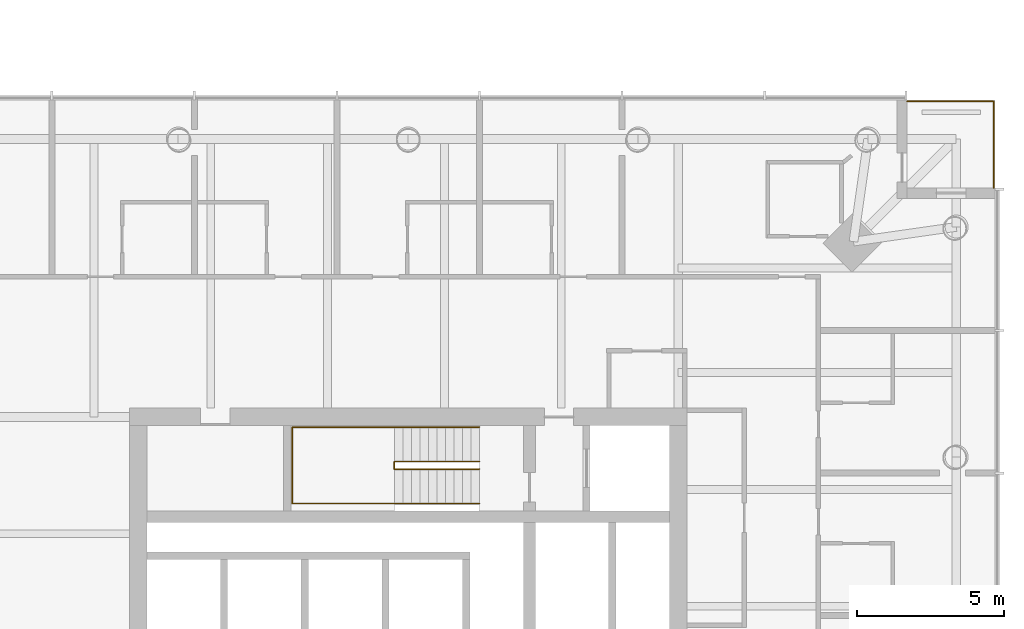
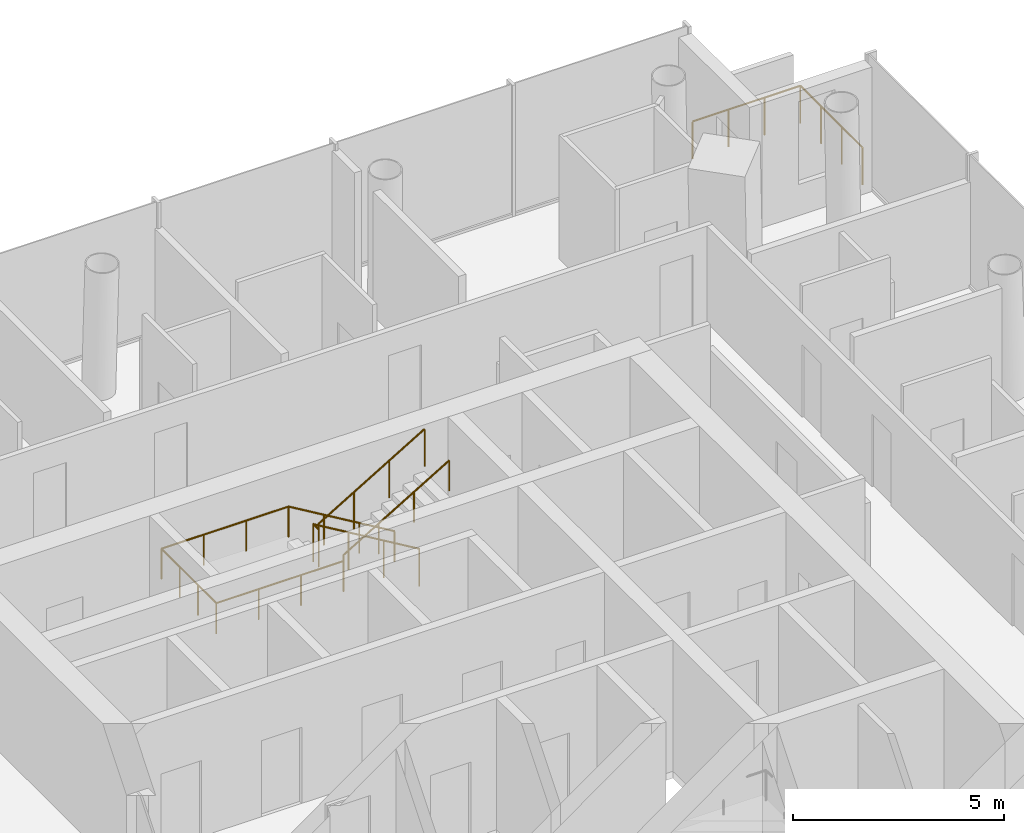
# One storey, part 20 of 20: 3 railings.
"""IFC4 building model written with IfcOpenShell, lengths in metres."""

from ifc_helpers import new_model, si_unit, direction, frame, origin, origin_2d, place, context, subcontext, project, spatial, circle, extrude, material, type_object, element, save


model = new_model("IFC4")

# Units and contexts
model_context = context("Model", 3, precision=1e-05, world=origin(), true_north=direction((0.0, 1.0)))
body_context = subcontext(model_context, "Body", "Model", "MODEL_VIEW")
ifc_project = project(units=[si_unit("LENGTHUNIT", "METRE"), si_unit("AREAUNIT", "SQUARE_METRE"), si_unit("VOLUMEUNIT", "CUBIC_METRE"), si_unit("PLANEANGLEUNIT", "RADIAN"), si_unit("MASSUNIT", "GRAM", prefix="KILO")], contexts=[model_context])

# Site, building, storey
site_placement = place(None, origin())
site = spatial("IfcSite", under=ifc_project, at=site_placement, CompositionType="ELEMENT")
building_placement = place(site_placement, origin())
building = spatial("IfcBuilding", under=site, at=building_placement, Name="Ostroluk Exchange", CompositionType="ELEMENT")
storey_placement = place(building_placement, frame((0.0, 0.0, 28.60009765625)))
storey = spatial("IfcBuildingStorey", under=building, at=storey_placement, Name="L06", CompositionType="ELEMENT", Elevation=28.60009765625)

# Railings
ifc_material_1 = material(Name="Stainless steel", Category="steel")
railing_type_1 = type_object("IfcRailingType", Name="Guard 1100 stainless steel", PredefinedType="GUARDRAIL", material=ifc_material_1)
railing_1_placement = place(storey_placement, frame((134.0, 65.949951171875, 0.0)))
element("IfcRailing", 1, at=railing_1_placement, inside=storey, type_object=railing_type_1, Name="Hotel tower NE balcony guard L06", PredefinedType="GUARDRAIL", context=body_context, shape_type="SweptSolid", body=[
    extrude(circle(Radius=0.02392578125, at=origin_2d()), frame((0.0, 0.0, 1.076171875), z_axis=(1.0, 0.0, 0.0), x_axis=(0.0, 1.0, 0.0)), (0.0, 0.0, 1.0), 2.949951171875),
    extrude(circle(Radius=0.02392578125, at=origin_2d()), frame((2.949951171875, 0.0, 1.076171875), z_axis=(0.0, -1.0, 0.0), x_axis=(1.0, 0.0, 0.0)), (0.0, 0.0, 1.0), 2.949951171875),
    extrude(circle(Radius=0.02099609375, at=origin_2d()), origin(), (0.0, 0.0, 1.0), 1.052001953125),
    extrude(circle(Radius=0.02099609375, at=origin_2d()), frame((0.9833984375, 0.0, 0.0)), (0.0, 0.0, 1.0), 1.052001953125),
    extrude(circle(Radius=0.02099609375, at=origin_2d()), frame((1.966552734375, 0.0, 0.0)), (0.0, 0.0, 1.0), 1.052001953125),
    extrude(circle(Radius=0.02099609375, at=origin_2d()), frame((2.949951171875, 0.0, 0.0)), (0.0, 0.0, 1.0), 1.052001953125),
    extrude(circle(Radius=0.02099609375, at=origin_2d()), frame((2.949951171875, -0.9833984375, 0.0)), (0.0, 0.0, 1.0), 1.052001953125),
    extrude(circle(Radius=0.02099609375, at=origin_2d()), frame((2.949951171875, -1.966552734375, 0.0)), (0.0, 0.0, 1.0), 1.052001953125),
    extrude(circle(Radius=0.02099609375, at=origin_2d()), frame((2.949951171875, -2.949951171875, 0.0)), (0.0, 0.0, 1.0), 1.052001953125),
])
ifc_material_2 = material(Name="Steel S355", Category="steel")
railing_type_2 = type_object("IfcRailingType", Name="Stair guard 1100", PredefinedType="GUARDRAIL", material=ifc_material_2)
railing_2_placement = place(storey_placement, frame((119.429931640625, 53.679931640625, 0.172607421875)))
element("IfcRailing", 2, at=railing_2_placement, inside=storey, type_object=railing_type_2, Name="Stair T2-S2 guard L06", PredefinedType="GUARDRAIL", context=body_context, shape_type="SweptSolid", body=[
    extrude(circle(Radius=0.02392578125, at=origin_2d()), frame((0.0, 0.0, 1.076171875), z_axis=(-0.859141464434, 0.0, 0.511738159696), x_axis=(0.0, -1.0, 0.0)), (0.0, 0.0, 1.0), 3.375244140625),
    extrude(circle(Radius=0.02392578125, at=origin_2d()), frame((-2.89990234375, 0.0, 2.80322265625), z_axis=(0.0, -1.0, 0.0), x_axis=(1.0, 0.0, 0.0)), (0.0, 0.0, 1.0), 0.260009765625),
    extrude(circle(Radius=0.02392578125, at=origin_2d()), frame((-2.89990234375, -0.260009765625, 2.80322265625), z_axis=(0.0, 0.0, 1.0), x_axis=(1.0, 0.0, 0.0)), (0.0, 0.0, 1.0), 0.172607421875),
    extrude(circle(Radius=0.02392578125, at=origin_2d()), frame((-2.89990234375, -0.260009765625, 2.97607421875), z_axis=(0.859141464434, 0.0, 0.511738159696), x_axis=(0.0, 1.0, 0.0)), (0.0, 0.0, 1.0), 3.375244140625),
    extrude(circle(Radius=0.02099609375, at=origin_2d()), origin(), (0.0, 0.0, 1.0), 1.052001953125),
    extrude(circle(Radius=0.02099609375, at=origin_2d()), frame((-0.966552734375, 0.0, 0.57568359375)), (0.0, 0.0, 1.0), 1.052001953125),
    extrude(circle(Radius=0.02099609375, at=origin_2d()), frame((-1.933349609375, 0.0, 1.151611328125)), (0.0, 0.0, 1.0), 1.052001953125),
    extrude(circle(Radius=0.02099609375, at=origin_2d()), frame((-2.89990234375, 0.0, 1.727294921875)), (0.0, 0.0, 1.0), 1.052001953125),
    extrude(circle(Radius=0.02099609375, at=origin_2d()), frame((-2.89990234375, -0.260009765625, 1.727294921875)), (0.0, 0.0, 1.0), 1.052001953125),
    extrude(circle(Radius=0.02099609375, at=origin_2d()), frame((-2.89990234375, -0.260009765625, 1.89990234375)), (0.0, 0.0, 1.0), 1.052001953125),
    extrude(circle(Radius=0.02099609375, at=origin_2d()), frame((-1.933349609375, -0.260009765625, 2.4755859375)), (0.0, 0.0, 1.0), 1.052001953125),
    extrude(circle(Radius=0.02099609375, at=origin_2d()), frame((-0.966552734375, -0.260009765625, 3.051513671875)), (0.0, 0.0, 1.0), 1.052001953125),
    extrude(circle(Radius=0.02099609375, at=origin_2d()), frame((0.0, -0.260009765625, 3.627197265625)), (0.0, 0.0, 1.0), 1.052001953125),
])
ifc_material_3 = material(Name="Stainless steel", Category="steel")
railing_type_3 = type_object("IfcRailingType", Name="Stair handrail 900", PredefinedType="HANDRAIL", material=ifc_material_3)
railing_3_placement = place(storey_placement, frame((119.429931640625, 54.85009765625, 0.172607421875)))
element("IfcRailing", 3, at=railing_3_placement, inside=storey, type_object=railing_type_3, Name="Stair T2-S2 handrail L06", PredefinedType="HANDRAIL", context=body_context, shape_type="SweptSolid", body=[
    extrude(circle(Radius=0.02392578125, at=origin_2d()), frame((0.0, 0.0, 0.8759765625), z_axis=(-0.859141464434, 0.0, 0.511738159696), x_axis=(0.0, -1.0, 0.0)), (0.0, 0.0, 1.0), 3.375244140625),
    extrude(circle(Radius=0.02392578125, at=origin_2d()), frame((-2.89990234375, 0.0, 2.60302734375), z_axis=(-1.0, 0.0, 0.0), x_axis=(0.0, -1.0, 0.0)), (0.0, 0.0, 1.0), 3.47998046875),
    extrude(circle(Radius=0.02392578125, at=origin_2d()), frame((-6.3798828125, 0.0, 2.60302734375), z_axis=(0.0, -1.0, 0.0), x_axis=(1.0, 0.0, 0.0)), (0.0, 0.0, 1.0), 2.60009765625),
    extrude(circle(Radius=0.02392578125, at=origin_2d()), frame((-6.3798828125, -2.60009765625, 2.60302734375), z_axis=(1.0, 0.0, 0.0), x_axis=(0.0, 1.0, 0.0)), (0.0, 0.0, 1.0), 3.47998046875),
    extrude(circle(Radius=0.02392578125, at=origin_2d()), frame((-2.89990234375, -2.60009765625, 2.60302734375), z_axis=(0.0, 0.0, 1.0), x_axis=(1.0, 0.0, 0.0)), (0.0, 0.0, 1.0), 0.172607421875),
    extrude(circle(Radius=0.02392578125, at=origin_2d()), frame((-2.89990234375, -2.60009765625, 2.77587890625), z_axis=(0.859141464434, 0.0, 0.511738159696), x_axis=(0.0, 1.0, 0.0)), (0.0, 0.0, 1.0), 3.375244140625),
    extrude(circle(Radius=0.02099609375, at=origin_2d()), origin(), (0.0, 0.0, 1.0), 0.851806640625),
    extrude(circle(Radius=0.02099609375, at=origin_2d()), frame((-0.966552734375, 0.0, 0.57568359375)), (0.0, 0.0, 1.0), 0.851806640625),
    extrude(circle(Radius=0.02099609375, at=origin_2d()), frame((-1.933349609375, 0.0, 1.151611328125)), (0.0, 0.0, 1.0), 0.851806640625),
    extrude(circle(Radius=0.02099609375, at=origin_2d()), frame((-2.89990234375, 0.0, 1.727294921875)), (0.0, 0.0, 1.0), 0.851806640625),
    extrude(circle(Radius=0.02099609375, at=origin_2d()), frame((-4.059814453125, 0.0, 1.727294921875)), (0.0, 0.0, 1.0), 0.851806640625),
    extrude(circle(Radius=0.02099609375, at=origin_2d()), frame((-5.219970703125, 0.0, 1.727294921875)), (0.0, 0.0, 1.0), 0.851806640625),
    extrude(circle(Radius=0.02099609375, at=origin_2d()), frame((-6.3798828125, 0.0, 1.727294921875)), (0.0, 0.0, 1.0), 0.851806640625),
    extrude(circle(Radius=0.02099609375, at=origin_2d()), frame((-6.3798828125, -0.86669921875, 1.727294921875)), (0.0, 0.0, 1.0), 0.851806640625),
    extrude(circle(Radius=0.02099609375, at=origin_2d()), frame((-6.3798828125, -1.7333984375, 1.727294921875)), (0.0, 0.0, 1.0), 0.851806640625),
    extrude(circle(Radius=0.02099609375, at=origin_2d()), frame((-6.3798828125, -2.60009765625, 1.727294921875)), (0.0, 0.0, 1.0), 0.851806640625),
    extrude(circle(Radius=0.02099609375, at=origin_2d()), frame((-5.219970703125, -2.60009765625, 1.727294921875)), (0.0, 0.0, 1.0), 0.851806640625),
    extrude(circle(Radius=0.02099609375, at=origin_2d()), frame((-4.059814453125, -2.60009765625, 1.727294921875)), (0.0, 0.0, 1.0), 0.851806640625),
    extrude(circle(Radius=0.02099609375, at=origin_2d()), frame((-2.89990234375, -2.60009765625, 1.727294921875)), (0.0, 0.0, 1.0), 0.851806640625),
    extrude(circle(Radius=0.02099609375, at=origin_2d()), frame((-2.89990234375, -2.60009765625, 1.89990234375)), (0.0, 0.0, 1.0), 0.851806640625),
    extrude(circle(Radius=0.02099609375, at=origin_2d()), frame((-1.933349609375, -2.60009765625, 2.4755859375)), (0.0, 0.0, 1.0), 0.851806640625),
    extrude(circle(Radius=0.02099609375, at=origin_2d()), frame((-0.966552734375, -2.60009765625, 3.051513671875)), (0.0, 0.0, 1.0), 0.851806640625),
    extrude(circle(Radius=0.02099609375, at=origin_2d()), frame((0.0, -2.60009765625, 3.627197265625)), (0.0, 0.0, 1.0), 0.851806640625),
])

save(model, "model.ifc")
